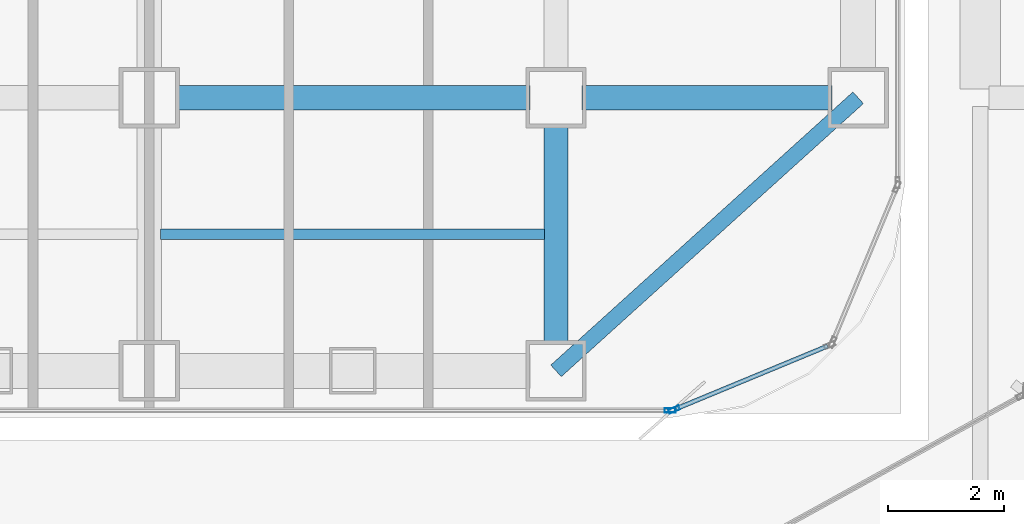
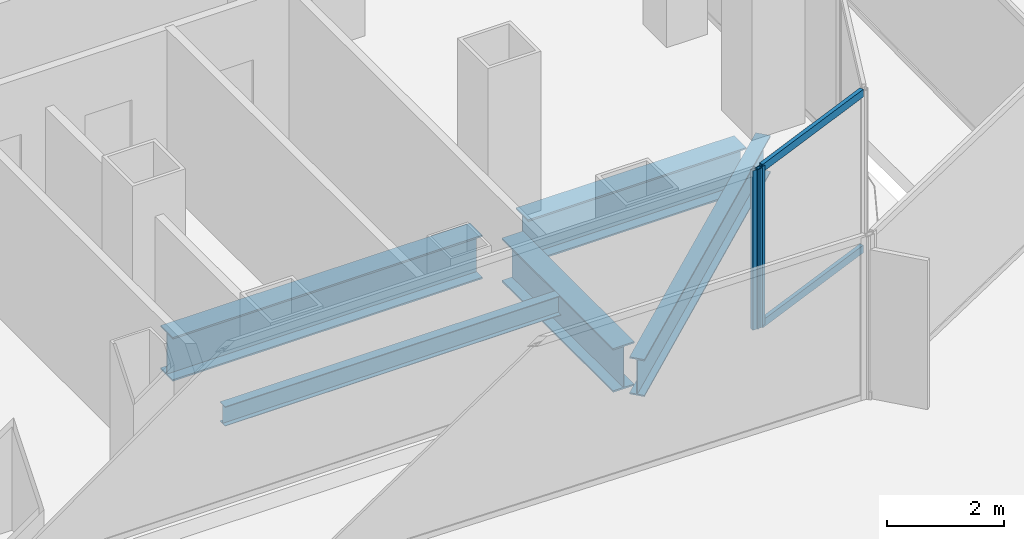
# One storey, part 8 of 27: 5 beams, 4 members, 2 elements without a shape of their own.
"""IFC4 building model written with IfcOpenShell, lengths in metres."""

from ifc_helpers import new_model, si_unit, direction, frame, origin, origin_2d, place, context, subcontext, project, spatial, hollow_rectangle, i_section, extrude, source, transform, mapped, material, layer, layer_set, material_profile, profile_set, type_object, element, aggregate, save


model = new_model("IFC4")

# Units and contexts
model_context = context("Model", 3, precision=1e-05, world=origin(), true_north=direction((0.0, 1.0)))
body_context = subcontext(model_context, "Body", "Model", "MODEL_VIEW")
ifc_project = project(units=[si_unit("LENGTHUNIT", "METRE"), si_unit("AREAUNIT", "SQUARE_METRE"), si_unit("VOLUMEUNIT", "CUBIC_METRE"), si_unit("PLANEANGLEUNIT", "RADIAN"), si_unit("MASSUNIT", "GRAM", prefix="KILO")], contexts=[model_context])

# Site, building, storey
site_placement = place(None, origin())
site = spatial("IfcSite", under=ifc_project, at=site_placement, CompositionType="ELEMENT")
building_placement = place(site_placement, origin())
building = spatial("IfcBuilding", under=site, at=building_placement, Name="Kolveth Station Tower", CompositionType="ELEMENT")
storey_placement = place(building_placement, frame((0.0, 0.0, 22.5)))
storey = spatial("IfcBuildingStorey", under=building, at=storey_placement, Name="L05", CompositionType="ELEMENT", Elevation=22.5)

# Beams
ifc_material_1 = material(Name="Steel S355", Category="steel")
ifc_material_profile_1 = material_profile(ifc_material_1, i_section(OverallWidth=0.26904296875, OverallDepth=0.77490234375, WebThickness=0.01708984375, FlangeThickness=0.0283203125, at=origin_2d()), Name="W760x220")
ifc_profile_set_1 = profile_set([ifc_material_profile_1], Name="Steel S355")
beam_type_1 = type_object("IfcBeamType", Name="Beam_SP1", PredefinedType="SPANDREL", material=ifc_profile_set_1)
shared_shape_1 = source(origin(), body_context, "Body", "SweptSolid", [
    extrude(i_section(OverallWidth=0.26904296875, OverallDepth=0.77490234375, WebThickness=0.01708984375, FlangeThickness=0.0283203125, at=origin_2d()), origin(), (0.0, 0.0, 1.0), 7.00927734375),
])
beam_1_placement = place(storey_placement, frame((41.0, 0.800048828125, -0.74755859375), z_axis=(0.741874009795, 0.670539300557, 0.0), x_axis=(-0.670539300557, 0.741874009795, 0.0)))
element("IfcBeam", 1, at=beam_1_placement, inside=storey, type_object=beam_type_1, Name="L05 Corner Edge Girder BM-L05-CNR-SE", PredefinedType="SPANDREL", context=body_context, shape_type="MappedRepresentation", body=[
    mapped(shared_shape_1, transform((0.0, 0.0, 0.0), x_axis=(1.0, 0.0, 0.0), y_axis=(0.0, 1.0, 0.0), z_axis=(0.0, 0.0, 1.0), scale=1.0)),
])
ifc_material_profile_2 = material_profile(ifc_material_1, i_section(OverallWidth=0.41796875, OverallDepth=0.912109375, WebThickness=0.019287109375, FlangeThickness=0.031982421875, at=origin_2d()), Name="W920x342")
ifc_profile_set_2 = profile_set([ifc_material_profile_2], Name="Steel S355")
beam_type_2 = type_object("IfcBeamType", Name="Beam_B1", PredefinedType="BEAM", material=ifc_profile_set_2)
shared_shape_2 = source(origin(), body_context, "Body", "SweptSolid", [
    extrude(i_section(OverallWidth=0.41796875, OverallDepth=0.912109375, WebThickness=0.019287109375, FlangeThickness=0.031982421875, at=origin_2d()), origin(), (0.0, 0.0, 1.0), 4.300048828125),
])
beam_2_placement = place(storey_placement, frame((41.449951171875, 5.5, -0.81591796875), z_axis=(1.0, 0.0, 0.0), x_axis=(0.0, 1.0, 0.0)))
element("IfcBeam", 2, at=beam_2_placement, inside=storey, type_object=beam_type_2, Name="L05 Primary Girder BM-L05-GY55-7", PredefinedType="BEAM", context=body_context, shape_type="MappedRepresentation", body=[
    mapped(shared_shape_2, transform((0.0, 0.0, 0.0), x_axis=(1.0, 0.0, 0.0), y_axis=(0.0, 1.0, 0.0), z_axis=(0.0, 0.0, 1.0), scale=1.0)),
])
shared_shape_3 = source(origin(), body_context, "Body", "SweptSolid", [
    extrude(i_section(OverallWidth=0.41796875, OverallDepth=0.912109375, WebThickness=0.019287109375, FlangeThickness=0.031982421875, at=origin_2d()), origin(), (0.0, 0.0, 1.0), 6.10009765625),
])
beam_3_placement = place(storey_placement, frame((34.449951171875, 5.5, -0.81591796875), z_axis=(1.0, 0.0, 0.0), x_axis=(0.0, 1.0, 0.0)))
element("IfcBeam", 3, at=beam_3_placement, inside=storey, type_object=beam_type_2, Name="L05 Primary Girder BM-L05-GY55-6", PredefinedType="BEAM", context=body_context, shape_type="MappedRepresentation", body=[
    mapped(shared_shape_3, transform((0.0, 0.0, 0.0), x_axis=(1.0, 0.0, 0.0), y_axis=(0.0, 1.0, 0.0), z_axis=(0.0, 0.0, 1.0), scale=1.0)),
])
shared_shape_4 = source(origin(), body_context, "Body", "SweptSolid", [
    extrude(i_section(OverallWidth=0.41796875, OverallDepth=0.912109375, WebThickness=0.019287109375, FlangeThickness=0.031982421875, at=origin_2d()), origin(), (0.0, 0.0, 1.0), 3.800048828125),
])
beam_4_placement = place(storey_placement, frame((41.0, 1.25, -0.81591796875), z_axis=(0.0, 1.0, 0.0), x_axis=(-1.0, 0.0, 0.0)))
element("IfcBeam", 4, at=beam_4_placement, inside=storey, type_object=beam_type_2, Name="L05 Primary Girder BM-L05-GX410-1", PredefinedType="BEAM", context=body_context, shape_type="MappedRepresentation", body=[
    mapped(shared_shape_4, transform((0.0, 0.0, 0.0), x_axis=(1.0, 0.0, 0.0), y_axis=(0.0, 1.0, 0.0), z_axis=(0.0, 0.0, 1.0), scale=1.0)),
])
ifc_material_profile_3 = material_profile(ifc_material_1, i_section(OverallWidth=0.177978515625, OverallDepth=0.406982421875, WebThickness=0.0078125, FlangeThickness=0.0126953125, at=origin_2d()), Name="W410x60")
ifc_profile_set_3 = profile_set([ifc_material_profile_3], Name="Steel S355")
beam_type_3 = type_object("IfcBeamType", Name="Beam_J1", PredefinedType="JOIST", material=ifc_profile_set_3)
shared_shape_5 = source(origin(), body_context, "Body", "SweptSolid", [
    extrude(i_section(OverallWidth=0.177978515625, OverallDepth=0.406982421875, WebThickness=0.0078125, FlangeThickness=0.0126953125, at=origin_2d()), origin(), (0.0, 0.0, 1.0), 6.60986328125),
])
beam_5_placement = place(storey_placement, frame((34.195068359375, 3.14990234375, -0.5634765625), z_axis=(1.0, 0.0, 0.0), x_axis=(0.0, 1.0, 0.0)))
element("IfcBeam", 5, at=beam_5_placement, inside=storey, type_object=beam_type_3, Name="L05 Secondary Joist JST-L05-6-1", PredefinedType="JOIST", context=body_context, shape_type="MappedRepresentation", body=[
    mapped(shared_shape_5, transform((0.0, 0.0, 0.0), x_axis=(1.0, 0.0, 0.0), y_axis=(0.0, 1.0, 0.0), z_axis=(0.0, 0.0, 1.0), scale=1.0)),
])

# Curtain wall, member
ifc_material_2 = material(Name="Aluminium 6063-T6 and low-E dark glass", Category="aluminium")
ifc_layer = layer(ifc_material_2, 0.179931640625)
ifc_layer_set = layer_set([ifc_layer], Name="Aluminium 6063-T6 and low-E dark glass")
curtain_wall_type = type_object("IfcCurtainWallType", Name="CurtainWall_CW-Z1", PredefinedType="NOTDEFINED", material=ifc_layer_set)
curtain_wall_1_placement = place(storey_placement, origin())
curtain_wall_1 = element("IfcCurtainWall", 6, at=curtain_wall_1_placement, inside=storey, type_object=curtain_wall_type, Name="L05 Inner Thermal Curtain Wall 1", PredefinedType="NOTDEFINED")
ifc_material_3 = material(Name="Black anodized aluminium 6063-T6", Category="aluminium")
ifc_material_profile_4 = material_profile(ifc_material_3, hollow_rectangle(XDim=0.074951171875, YDim=0.18994140625, WallThickness=0.0048828125, at=origin_2d()), Name="ALU-75x190x5")
ifc_profile_set_4 = profile_set([ifc_material_profile_4], Name="Black anodized aluminium 6063-T6")
member_type_1 = type_object("IfcMemberType", Name="Mullion_ML1", PredefinedType="MULLION", material=ifc_profile_set_4)
shared_shape_6 = source(origin(), body_context, "Body", "SweptSolid", [
    extrude(hollow_rectangle(XDim=0.074951171875, YDim=0.18994140625, WallThickness=0.0048828125, at=origin_2d()), origin(), (0.0, 0.0, 1.0), 3.320068359375),
])
member_1_placement = place(storey_placement, frame((43.03466796875, 0.13427734375, 0.0), z_axis=(0.0, 0.0, 1.0), x_axis=(-0.382672990201, 0.923883857728, 0.0)))
member_1 = element("IfcMember", 7, at=member_1_placement, type_object=member_type_1, Name="CW-Z1 mullion 1", PredefinedType="MULLION", context=body_context, shape_type="MappedRepresentation", body=[
    mapped(shared_shape_6, transform((0.0, 0.0, 0.0), x_axis=(1.0, 0.0, 0.0), y_axis=(0.0, 1.0, 0.0), z_axis=(0.0, 0.0, 1.0), scale=1.0)),
])

curtain_wall_2_placement = place(storey_placement, origin())
curtain_wall_2 = element("IfcCurtainWall", 8, at=curtain_wall_2_placement, inside=storey, type_object=curtain_wall_type, Name="L05 Inner Thermal Curtain Wall 12", PredefinedType="NOTDEFINED")
member_2_placement = place(storey_placement, frame((42.96240234375, 0.1201171875, 0.0), z_axis=(0.0, 0.0, 1.0), x_axis=(0.0, 1.0, 0.0)))
member_2 = element("IfcMember", 9, at=member_2_placement, type_object=member_type_1, Name="CW-Z1 mullion 3", PredefinedType="MULLION", context=body_context, shape_type="MappedRepresentation", body=[
    mapped(shared_shape_6, transform((0.0, 0.0, 0.0), x_axis=(1.0, 0.0, 0.0), y_axis=(0.0, 1.0, 0.0), z_axis=(0.0, 0.0, 1.0), scale=1.0)),
])
aggregate(curtain_wall_2, [member_2])

# Member
ifc_material_profile_5 = material_profile(ifc_material_3, hollow_rectangle(XDim=0.074951171875, YDim=0.159912109375, WallThickness=0.0048828125, at=origin_2d()), Name="ALU-75x160x5")
ifc_profile_set_5 = profile_set([ifc_material_profile_5], Name="Black anodized aluminium 6063-T6")
member_type_2 = type_object("IfcMemberType", Name="Transom_TR1", PredefinedType="USERDEFINED", material=ifc_profile_set_5)
shared_shape_7 = source(origin(), body_context, "Body", "SweptSolid", [
    extrude(hollow_rectangle(XDim=0.074951171875, YDim=0.159912109375, WallThickness=0.0048828125, at=origin_2d()), origin(), (0.0, 0.0, 1.0), 2.819580078125),
])
member_3_placement = place(storey_placement, frame((43.0693359375, 0.148681640625, 0.03759765625), z_axis=(0.923869084389, 0.382708655389, 0.0), x_axis=(-0.382708655389, 0.923869084389, 0.0)))
member_3 = element("IfcMember", 10, at=member_3_placement, type_object=member_type_2, Name="CW-Z1 transom 1.1", ObjectType="TRANSOM", PredefinedType="USERDEFINED", context=body_context, shape_type="MappedRepresentation", body=[
    mapped(shared_shape_7, transform((0.0, 0.0, 0.0), x_axis=(1.0, 0.0, 0.0), y_axis=(0.0, 1.0, 0.0), z_axis=(0.0, 0.0, 1.0), scale=1.0)),
])

member_4_placement = place(storey_placement, frame((43.0693359375, 0.148681640625, 3.282470703125), z_axis=(0.923869084389, 0.382708655389, 0.0), x_axis=(-0.382708655389, 0.923869084389, 0.0)))
member_4 = element("IfcMember", 11, at=member_4_placement, type_object=member_type_2, Name="CW-Z1 transom 1.2", ObjectType="TRANSOM", PredefinedType="USERDEFINED", context=body_context, shape_type="MappedRepresentation", body=[
    mapped(shared_shape_7, transform((0.0, 0.0, 0.0), x_axis=(1.0, 0.0, 0.0), y_axis=(0.0, 1.0, 0.0), z_axis=(0.0, 0.0, 1.0), scale=1.0)),
])

aggregate(curtain_wall_1, [member_1, member_3, member_4])

save(model, "model.ifc")
